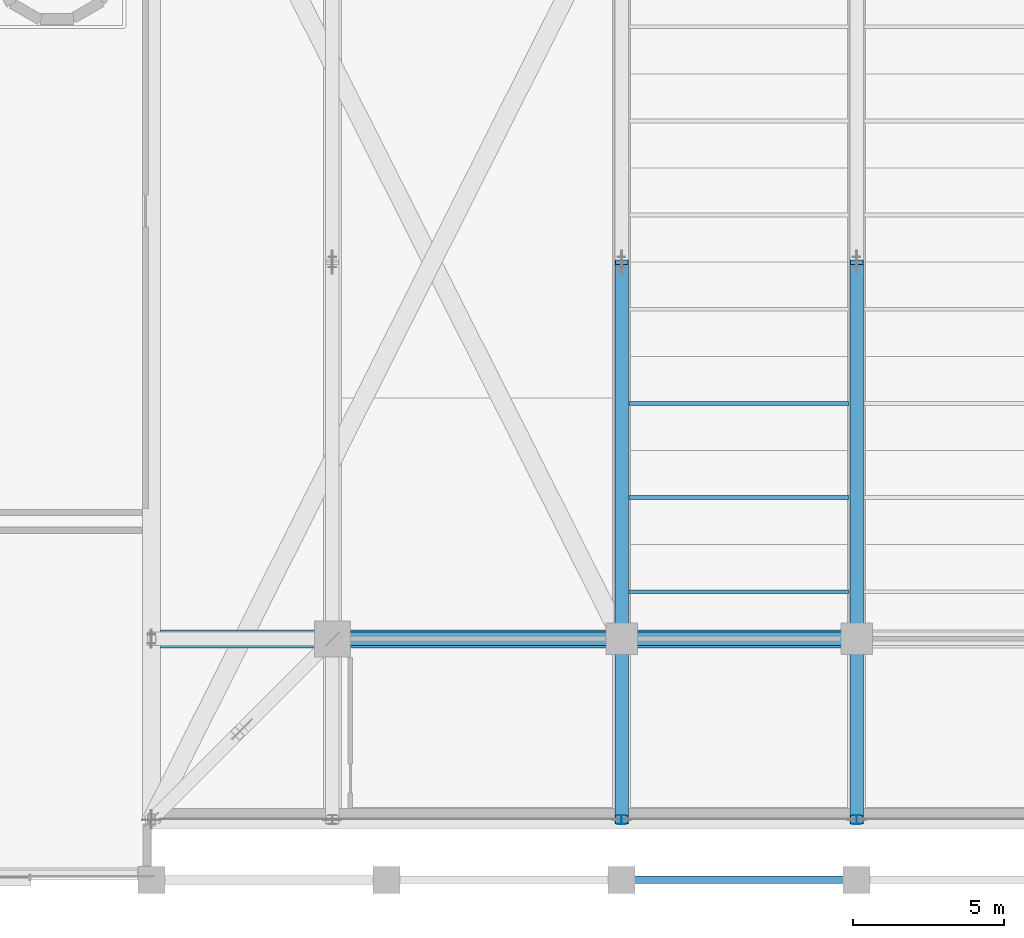
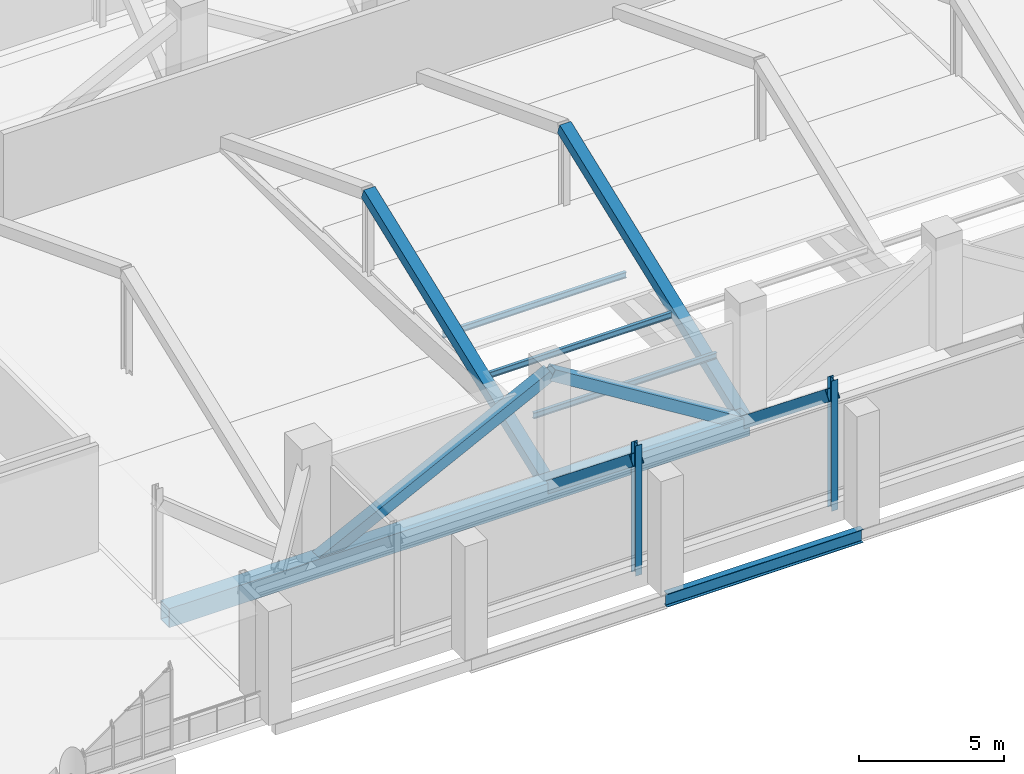
# One storey, part 40 of 127: 8 members, 5 beams.
"""IFC4 building model written with IfcOpenShell, lengths in metres."""

import ifcopenshell
import ifcopenshell.guid

model = None  # the IFC model being written
_history = None  # IfcOwnerHistory: only IFC2X3 demands one
_inside = {}  # id of a spatial element -> (the spatial element, [elements in it])
_under = {}  # id of a project, library or spatial element -> (it, [spatial elements below it])
_declared = {}  # id of a project -> (the project, [libraries it declares])
_typed = {}  # id of a type object -> (the type object, [elements of that type])
_made_of = {}  # id of a material, layer set ... -> (it, [elements and type objects made of it])


def new_model(schema):
    """Start an empty IFC model of exactly this schema.

    Asked for "IFC4X3", IfcOpenShell would pick the latest addendum, in which some entities
    have other attributes; the version numbers below select the first issue.
    IFC2X3 requires an IfcOwnerHistory on every rooted entity: one is made here for all.
    """
    global model, _history
    if schema == "IFC4X3":
        model = ifcopenshell.file(schema_version=(4, 3, 0, 0))
    else:
        model = ifcopenshell.file(schema=schema)
    _inside.clear()
    _under.clear()
    _declared.clear()
    _typed.clear()
    _made_of.clear()
    _history = None
    if model.schema == "IFC2X3":
        org = make("IfcOrganization", Name="unknown")
        user = make(
            "IfcPersonAndOrganization",
            ThePerson=make("IfcPerson", FamilyName="unknown"),
            TheOrganization=org,
        )
        app = make(
            "IfcApplication",
            ApplicationDeveloper=org,
            Version="unknown",
            ApplicationFullName="unknown",
            ApplicationIdentifier="unknown",
        )
        _history = make(
            "IfcOwnerHistory",
            OwningUser=user,
            OwningApplication=app,
            ChangeAction="ADDED",
            CreationDate=0,
        )
    return model


def make(cls, **values):
    """One entity of the class cls with the attributes given. An attribute that is None is left unset."""
    return model.create_entity(
        cls, **{name: value for name, value in values.items() if value is not None}
    )


def rooted(cls, **values):
    """An entity with a GlobalId (a new one), such as an element, a storey or a relation."""
    return make(cls, GlobalId=ifcopenshell.guid.new(), OwnerHistory=_history, **values)


def si_unit(unit_type, name, prefix=None):
    """IfcSIUnit, for example si_unit("LENGTHUNIT", "METRE", prefix="MILLI")."""
    return make("IfcSIUnit", UnitType=unit_type, Prefix=prefix, Name=name)


def derived_unit(unit_type, elements):
    """IfcDerivedUnit: a product of units, each with its exponent."""
    return make(
        "IfcDerivedUnit",
        Elements=[
            make("IfcDerivedUnitElement", Unit=unit, Exponent=power)
            for unit, power in elements
        ],
        UnitType=unit_type,
    )


def assignment(units):
    """IfcUnitAssignment: the units of a project."""
    return None if units is None else make("IfcUnitAssignment", Units=units)


def point(xyz):
    """IfcCartesianPoint."""
    return None if xyz is None else make("IfcCartesianPoint", Coordinates=xyz)


def direction(xyz):
    """IfcDirection."""
    return None if xyz is None else make("IfcDirection", DirectionRatios=xyz)


def frame(location, z_axis=None, x_axis=None):
    """IfcAxis2Placement3D, a coordinate frame: its origin and axes. An axis left out is left unset."""
    return make(
        "IfcAxis2Placement3D",
        Location=point(location),
        Axis=direction(z_axis),
        RefDirection=direction(x_axis),
    )


def frame_2d(location, x_axis=None):
    """IfcAxis2Placement2D, a coordinate frame in the plane: its origin and x axis."""
    return make(
        "IfcAxis2Placement2D", Location=point(location), RefDirection=direction(x_axis)
    )


def origin():
    """The frame at (0, 0, 0) with its axes left unset."""
    return frame((0.0, 0.0, 0.0))


def origin_2d():
    """The frame at (0, 0) in the plane with its x axis left unset."""
    return frame_2d((0.0, 0.0))


def place(relative_to, where):
    """IfcLocalPlacement: puts the frame where relative to a parent placement (None: the world)."""
    return make(
        "IfcLocalPlacement", PlacementRelTo=relative_to, RelativePlacement=where
    )


def context(
    kind, dimensions, precision=None, world=None, true_north=None, identifier=None
):
    """IfcGeometricRepresentationContext, for example the 3D "Model" context."""
    return make(
        "IfcGeometricRepresentationContext",
        ContextIdentifier=identifier,
        ContextType=kind,
        CoordinateSpaceDimension=dimensions,
        Precision=precision,
        WorldCoordinateSystem=world,
        TrueNorth=true_north,
    )


def subcontext(parent, identifier, kind, view, scale=None):
    """IfcGeometricRepresentationSubContext, for example "Body" below "Model"."""
    return make(
        "IfcGeometricRepresentationSubContext",
        ContextIdentifier=identifier,
        ContextType=kind,
        ParentContext=parent,
        TargetScale=scale,
        TargetView=view,
    )


def project(units=None, contexts=None):
    """IfcProject with its units and contexts."""
    return rooted(
        "IfcProject",
        Name="project",
        RepresentationContexts=contexts,
        UnitsInContext=assignment(units),
    )


def spatial(cls, under=None, at=None, **own):
    """A site, building, storey or space (cls), placed at a placement, below another one or the project."""
    s = rooted(cls, ObjectPlacement=at, **own)
    if under is not None:
        _under.setdefault(under.id(), (under, []))[1].append(s)
    return s


def profile(cls, at=None, kind="AREA", **sizes):
    """A parametric profile (cls). Its sizes go by their IFC names, for example OverallWidth=200.0."""
    return make(cls, ProfileType=kind, Position=at, **sizes)


def hollow_rectangle(**sizes):
    """IfcRectangleHollowProfileDef."""
    return profile("IfcRectangleHollowProfileDef", **sizes)


def i_section(**sizes):
    """IfcIShapeProfileDef."""
    return profile("IfcIShapeProfileDef", **sizes)


def extrude(swept, where, along, depth):
    """IfcExtrudedAreaSolid: the profile swept, set in the frame where, extruded along a direction by depth."""
    return make(
        "IfcExtrudedAreaSolid",
        SweptArea=swept,
        Position=where,
        ExtrudedDirection=direction(along),
        Depth=depth,
    )


def shape(context_of_items, identifier, shape_type, items):
    """IfcShapeRepresentation: the items that make up one representation, for example the "Body"."""
    return make(
        "IfcShapeRepresentation",
        ContextOfItems=context_of_items,
        RepresentationIdentifier=identifier,
        RepresentationType=shape_type,
        Items=items,
    )


def material(Name=None, Category=None):
    """IfcMaterial."""
    return make("IfcMaterial", Name=Name, Category=Category)


def material_profile(
    of_material, cross_section, Name=None, Category=None, Priority=None
):
    """IfcMaterialProfile: a cross section and its material."""
    return make(
        "IfcMaterialProfile",
        Name=Name,
        Material=of_material,
        Profile=cross_section,
        Priority=Priority,
        Category=Category,
    )


def profile_set(profiles, Name=None, composite=None):
    """IfcMaterialProfileSet."""
    return make(
        "IfcMaterialProfileSet",
        Name=Name,
        MaterialProfiles=profiles,
        CompositeProfile=composite,
    )


def made_of(thing, what):
    """Note that an element or type object is made of a material, layer set ...; save() writes the relation."""
    if what is not None:
        _made_of.setdefault(what.id(), (what, []))[1].append(thing)
    return thing


def type_object(cls, material=None, **own):
    """A type object (cls), such as IfcWallType, which elements share."""
    return made_of(rooted(cls, **own), material)


def element(
    cls,
    number,
    at=None,
    inside=None,
    cuts=None,
    type_object=None,
    material=None,
    context=None,
    identifier="Body",
    shape_type=None,
    held_by="IfcProductDefinitionShape",
    body=None,
    shapes=None,
    **own,
):
    """One element of the class cls, such as IfcWall. Its Tag is "e" and its number.

    at: its placement. inside: the storey or other place that contains it. cuts: it is an
    opening in that element (IfcRelVoidsElement). A single representation is given by context,
    identifier, shape_type and body (its items); several are given by shapes. held_by: the class
    of the entity that holds the representations. save() writes the other relations.
    """
    e = rooted(cls, Tag="e%d" % number, ObjectPlacement=at, **own)
    if body is not None:
        shapes = [shape(context, identifier, shape_type, body)]
    if shapes is not None:
        e.Representation = make(held_by, Representations=shapes)
    if inside is not None:
        _inside.setdefault(inside.id(), (inside, []))[1].append(e)
    if cuts is not None:
        rooted(
            "IfcRelVoidsElement", RelatingBuildingElement=cuts, RelatedOpeningElement=e
        )
    if type_object is not None:
        _typed.setdefault(type_object.id(), (type_object, []))[1].append(e)
    return made_of(e, material)


def aggregate(whole, parts):
    """IfcRelAggregates: a whole, such as a stair, and the parts it consists of."""
    return rooted("IfcRelAggregates", RelatingObject=whole, RelatedObjects=parts)


def save(model, path):
    """Write the relations noted so far, then the file.

    IfcRelAggregates (storeys below a building ...), IfcRelContainedInSpatialStructure (elements
    in a storey), IfcRelDefinesByType, IfcRelAssociatesMaterial and IfcRelDeclares: one each for
    every whole, place, type object, material and project.
    """
    for whole, parts in _under.values():
        aggregate(whole, parts)
    for where, things in _inside.values():
        rooted(
            "IfcRelContainedInSpatialStructure",
            RelatedElements=things,
            RelatingStructure=where,
        )
    for kind, things in _typed.values():
        rooted("IfcRelDefinesByType", RelatedObjects=things, RelatingType=kind)
    for what, things in _made_of.values():
        rooted("IfcRelAssociatesMaterial", RelatedObjects=things, RelatingMaterial=what)
    for by, libraries in _declared.values():
        rooted("IfcRelDeclares", RelatingContext=by, RelatedDefinitions=libraries)
    model.write(path)


model = new_model("IFC4")

# Units and contexts
model_context = context("Model", 3, precision=1e-05, world=origin(), true_north=direction((0.0, 1.0)))
body_context = subcontext(model_context, "Body", "Model", "MODEL_VIEW")
ifc_project = project(units=[si_unit("LENGTHUNIT", "METRE"), si_unit("AREAUNIT", "SQUARE_METRE"), si_unit("VOLUMEUNIT", "CUBIC_METRE"), si_unit("PLANEANGLEUNIT", "RADIAN"), si_unit("MASSUNIT", "GRAM", prefix="KILO"), derived_unit("THERMALTRANSMITTANCEUNIT", [(si_unit("POWERUNIT", "WATT"), 1), (si_unit("LENGTHUNIT", "METRE"), -2), (si_unit("THERMODYNAMICTEMPERATUREUNIT", "KELVIN"), -1)])], contexts=[model_context])

# Site, building, storey
site_placement = place(None, origin())
site = spatial("IfcSite", under=ifc_project, at=site_placement, CompositionType="ELEMENT")
building_placement = place(site_placement, origin())
building = spatial("IfcBuilding", under=site, at=building_placement, Name="Nallur Shell Playhouse", CompositionType="ELEMENT")
storey_placement = place(building_placement, frame((0.0, 0.0, 5.39990234375)))
storey = spatial("IfcBuildingStorey", under=building, at=storey_placement, Name="L02", CompositionType="ELEMENT", Elevation=5.39990234375)

# Beams
ifc_material_1 = material(Name="Steel E250", Category="steel")
ifc_material_profile_1 = material_profile(ifc_material_1, i_section(OverallWidth=0.125, OverallDepth=0.25, WebThickness=0.0068359375, FlangeThickness=0.012451171875, FilletRadius=0.012939453125, at=origin_2d()), Name="ISMB 250")
ifc_profile_set_1 = profile_set([ifc_material_profile_1], Name="Steel E250")
beam_type_1 = type_object("IfcBeamType", Name="BM-JST-ISMB250", PredefinedType="JOIST", material=ifc_profile_set_1)
for number, where, z_axis, x_axis, name in (
    (1, (79.847900390625, 23.8125, 0.885009765625), (1.0, 0.0, 0.0), (0.0, 1.0, 0.0), "Seating tier step bearer STALLS row 6 (79.6-87.4)"),
    (2, (79.847900390625, 20.6875, 1.085205078125), (1.0, 0.0, 0.0), (0.0, 1.0, 0.0), "Seating tier step bearer STALLS row 7 (79.6-87.4)"),
    (3, (79.847900390625, 17.5625, 1.28515625), (1.0, 0.0, 0.0), (0.0, 1.0, 0.0), "Seating tier step bearer STALLS row 8 (79.6-87.4)"),
):
    element("IfcBeam", number, at=place(storey_placement, frame(where, z_axis=z_axis, x_axis=x_axis)), inside=storey, type_object=beam_type_1, Name=name, PredefinedType="JOIST", context=body_context, shape_type="SweptSolid", body=[
        extrude(i_section(OverallWidth=0.125, OverallDepth=0.25, WebThickness=0.0068359375, FlangeThickness=0.012451171875, FilletRadius=0.012939453125, at=origin_2d()), origin(), (0.0, 0.0, 1.0), 7.30419921875),
    ])
ifc_material_2 = material(Name="Steel E350", Category="steel")
ifc_material_profile_2 = material_profile(ifc_material_2, i_section(OverallWidth=0.25, OverallDepth=0.550048828125, WebThickness=0.010498046875, FlangeThickness=0.017578125, FilletRadius=0.01611328125, at=origin_2d()), Name="ISWB 550")
ifc_profile_set_2 = profile_set([ifc_material_profile_2], Name="Steel E350")
beam_type_2 = type_object("IfcBeamType", Name="BM-ST-ISWB550", PredefinedType="BEAM", material=ifc_profile_set_2)
beam_1_placement = place(storey_placement, frame((79.60009765625, 8.0, -0.554931640625), z_axis=(1.0, 0.0, 0.0), x_axis=(0.0, 1.0, 0.0)))
element("IfcBeam", 4, at=beam_1_placement, inside=storey, type_object=beam_type_2, Name="L02 girder X-A-322", PredefinedType="BEAM", context=body_context, shape_type="SweptSolid", body=[
    extrude(i_section(OverallWidth=0.25, OverallDepth=0.550048828125, WebThickness=0.010498046875, FlangeThickness=0.017578125, FilletRadius=0.01611328125, at=origin_2d()), origin(), (0.0, 0.0, 1.0), 7.7998046875),
])
ifc_material_profile_3 = material_profile(ifc_material_2, hollow_rectangle(XDim=0.60009765625, YDim=0.800048828125, WallThickness=0.02490234375, at=origin_2d()), Name="BOX 600x800x25")
ifc_profile_set_3 = profile_set([ifc_material_profile_3], Name="Steel E350")
beam_type_3 = type_object("IfcBeamType", Name="BM-TT-CHORD", PredefinedType="BEAM", material=ifc_profile_set_3)
beam_2_placement = place(storey_placement, frame((64.298095703125, 16.0, -0.679931640625), z_axis=(1.0, 0.0, 0.0), x_axis=(0.0, 1.0, 0.0)))
element("IfcBeam", 5, at=beam_2_placement, inside=storey, type_object=beam_type_3, Name="Transfer truss TT-1 bottom chord 1", PredefinedType="BEAM", context=body_context, shape_type="SweptSolid", body=[
    extrude(hollow_rectangle(XDim=0.60009765625, YDim=0.800048828125, WallThickness=0.02490234375, at=origin_2d()), origin(), (0.0, 0.0, 1.0), 23.101806640625),
])

# Members
ifc_material_profile_4 = material_profile(ifc_material_2, i_section(OverallWidth=0.25, OverallDepth=0.300048828125, WebThickness=0.009521484375, FlangeThickness=0.010498046875, FilletRadius=0.010986328125, at=origin_2d()), Name="ISHB 300")
ifc_profile_set_4 = profile_set([ifc_material_profile_4], Name="Steel E350")
member_type_1 = type_object("IfcMemberType", Name="MB-FASCIA-POST", PredefinedType="POST", material=ifc_profile_set_4)
for number, where, z_axis, x_axis, name in (
    (6, (79.60009765625, 10.0, -0.679931640625), (0.0, 0.0, 1.0), (1.0, 0.0, 0.0), "Cantilever truss fascia post POST-GB-L02-03"),
    (7, (87.39990234375, 10.0, -0.679931640625), (0.0, 0.0, 1.0), (1.0, 0.0, 0.0), "Cantilever truss fascia post POST-GB-L02-04"),
):
    element("IfcMember", number, at=place(storey_placement, frame(where, z_axis=z_axis, x_axis=x_axis)), inside=storey, type_object=member_type_1, Name=name, PredefinedType="POST", context=body_context, shape_type="SweptSolid", body=[
        extrude(i_section(OverallWidth=0.25, OverallDepth=0.300048828125, WebThickness=0.009521484375, FlangeThickness=0.010498046875, FilletRadius=0.010986328125, at=origin_2d()), origin(), (0.0, 0.0, 1.0), 5.47998046875),
    ])
ifc_material_profile_5 = material_profile(ifc_material_2, hollow_rectangle(XDim=0.449951171875, YDim=0.449951171875, WallThickness=0.02001953125, at=origin_2d()), Name="BOX 450x450x20")
ifc_profile_set_5 = profile_set([ifc_material_profile_5], Name="Steel E350")
member_type_2 = type_object("IfcMemberType", Name="MB-TT-DIAG", PredefinedType="BRACE", material=ifc_profile_set_5)
member_1_placement = place(storey_placement, frame((70.0, 16.0, -0.679931640625), z_axis=(0.893680494972, 0.0, 0.448703881091), x_axis=(0.0, 1.0, 0.0)))
element("IfcMember", 8, at=member_1_placement, inside=storey, type_object=member_type_2, Name="Transfer truss TT-1 diagonal 2", PredefinedType="BRACE", context=body_context, shape_type="SweptSolid", body=[
    extrude(hollow_rectangle(XDim=0.449951171875, YDim=0.449951171875, WallThickness=0.02001953125, at=origin_2d()), origin(), (0.0, 0.0, 1.0), 10.7421875),
])
member_2_placement = place(storey_placement, frame((79.60009765625, 16.0, 4.14013671875), z_axis=(0.850674026374, 0.0, -0.525693542716), x_axis=(0.0, 1.0, 0.0)))
element("IfcMember", 9, at=member_2_placement, inside=storey, type_object=member_type_2, Name="Transfer truss TT-1 diagonal 3", PredefinedType="BRACE", context=body_context, shape_type="SweptSolid", body=[
    extrude(hollow_rectangle(XDim=0.449951171875, YDim=0.449951171875, WallThickness=0.02001953125, at=origin_2d()), origin(), (0.0, 0.0, 1.0), 9.1689453125),
])
member_3_placement = place(storey_placement, frame((79.60009765625, 10.0, 4.14013671875), z_axis=(0.0, 0.779595223506, -0.626283711657), x_axis=(-1.0, 0.0, 0.0)))
element("IfcMember", 10, at=member_3_placement, inside=storey, type_object=member_type_2, Name="Transfer truss TT-4 diagonal 1", PredefinedType="BRACE", context=body_context, shape_type="SweptSolid", body=[
    extrude(hollow_rectangle(XDim=0.449951171875, YDim=0.449951171875, WallThickness=0.02001953125, at=origin_2d()), origin(), (0.0, 0.0, 1.0), 7.6962890625),
])
member_4_placement = place(storey_placement, frame((79.60009765625, 16.0, -0.679931640625), z_axis=(0.0, 0.933035744056, 0.359783685447), x_axis=(-1.0, 0.0, 0.0)))
element("IfcMember", 11, at=member_4_placement, inside=storey, type_object=member_type_2, Name="Transfer truss TT-4 diagonal 2", PredefinedType="BRACE", context=body_context, shape_type="SweptSolid", body=[
    extrude(hollow_rectangle(XDim=0.449951171875, YDim=0.449951171875, WallThickness=0.02001953125, at=origin_2d()), origin(), (0.0, 0.0, 1.0), 13.397216796875),
])
member_5_placement = place(storey_placement, frame((87.39990234375, 10.0, 4.14013671875), z_axis=(0.0, 0.779595223506, -0.626283711657), x_axis=(-1.0, 0.0, 0.0)))
element("IfcMember", 12, at=member_5_placement, inside=storey, type_object=member_type_2, Name="Transfer truss TT-5 diagonal 1", PredefinedType="BRACE", context=body_context, shape_type="SweptSolid", body=[
    extrude(hollow_rectangle(XDim=0.449951171875, YDim=0.449951171875, WallThickness=0.02001953125, at=origin_2d()), origin(), (0.0, 0.0, 1.0), 7.6962890625),
])
member_6_placement = place(storey_placement, frame((87.39990234375, 16.0, -0.679931640625), z_axis=(0.0, 0.933035744056, 0.359783685447), x_axis=(-1.0, 0.0, 0.0)))
element("IfcMember", 13, at=member_6_placement, inside=storey, type_object=member_type_2, Name="Transfer truss TT-5 diagonal 2", PredefinedType="BRACE", context=body_context, shape_type="SweptSolid", body=[
    extrude(hollow_rectangle(XDim=0.449951171875, YDim=0.449951171875, WallThickness=0.02001953125, at=origin_2d()), origin(), (0.0, 0.0, 1.0), 13.397216796875),
])

save(model, "model.ifc")
